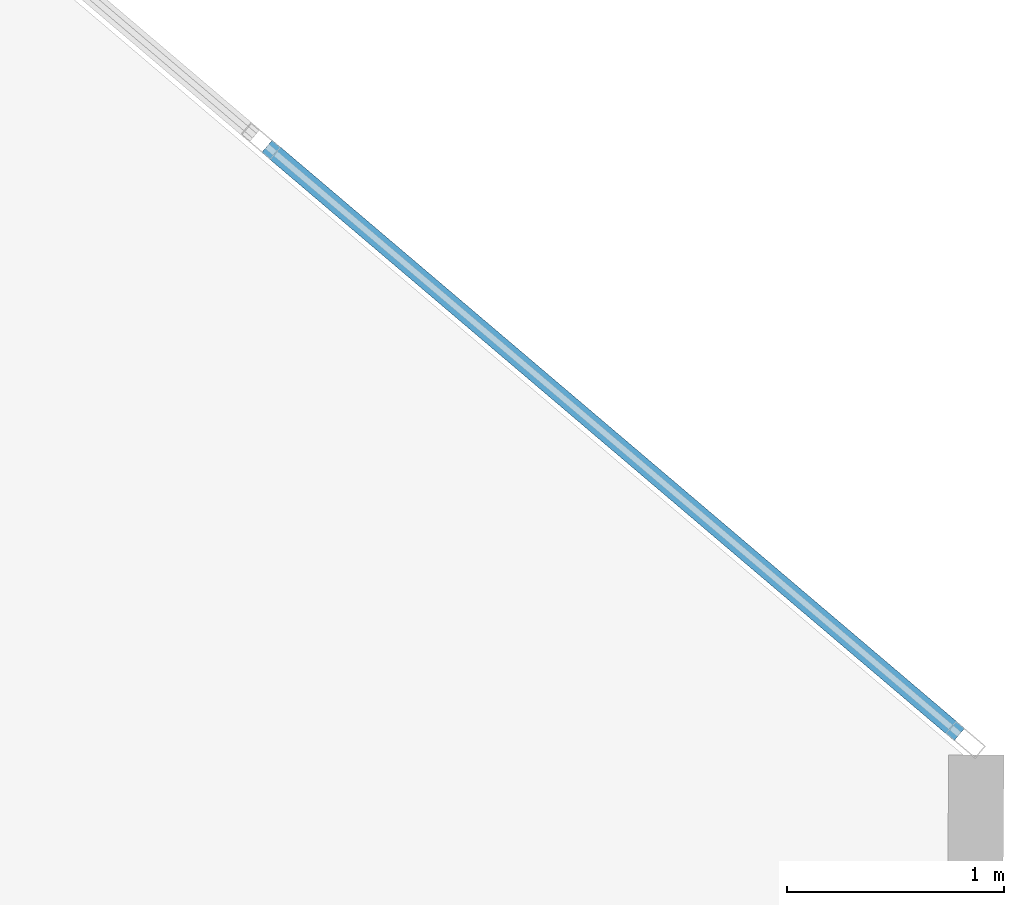
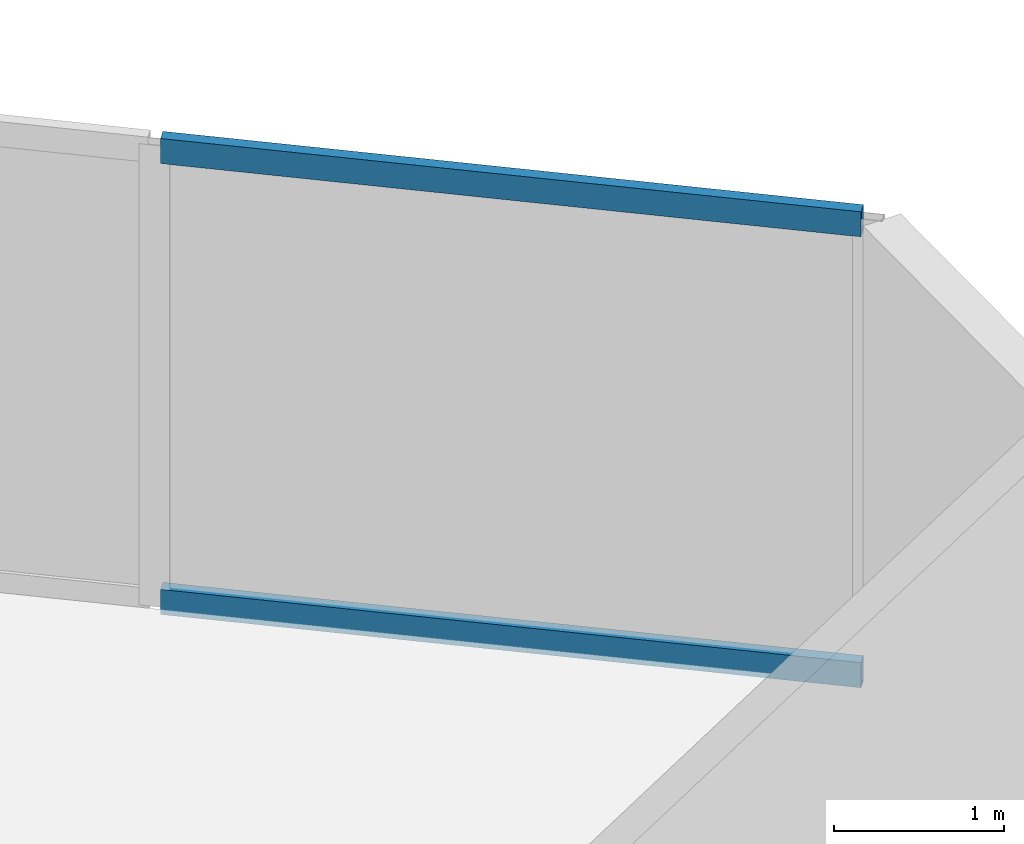
# One storey, part 15 of 24: 2 members, 1 element without a shape of its own.
"""IFC4 building model written with IfcOpenShell, lengths in metres."""

from ifc_helpers import new_model, si_unit, direction, frame, origin, origin_2d, place, context, subcontext, project, spatial, hollow_rectangle, extrude, source, transform, mapped, material, layer, layer_set, material_profile, profile_set, type_object, type_shapes, element, aggregate, save


model = new_model("IFC4")

# Units and contexts
model_context = context("Model", 3, precision=1e-05, world=origin(), true_north=direction((0.0, 1.0)))
body_context = subcontext(model_context, "Body", "Model", "MODEL_VIEW")
ifc_project = project(units=[si_unit("LENGTHUNIT", "METRE"), si_unit("AREAUNIT", "SQUARE_METRE"), si_unit("VOLUMEUNIT", "CUBIC_METRE"), si_unit("PLANEANGLEUNIT", "RADIAN"), si_unit("MASSUNIT", "GRAM", prefix="KILO")], contexts=[model_context])

# Site, building, storey
site_placement = place(None, origin())
site = spatial("IfcSite", under=ifc_project, at=site_placement, CompositionType="ELEMENT")
building_placement = place(site_placement, origin())
building = spatial("IfcBuilding", under=site, at=building_placement, Name="Talar Marvaseh", CompositionType="ELEMENT")
storey_placement = place(building_placement, frame((0.0, 0.0, 114.60009765625)))
storey = spatial("IfcBuildingStorey", under=building, at=storey_placement, Name="L29", CompositionType="ELEMENT", Elevation=114.60009765625)

# Curtain wall, members
ifc_material = material(Name="Architectural Aluminium", Category="aluminium")
ifc_layer = layer(ifc_material, 0.199951171875)
ifc_layer_set = layer_set([ifc_layer], Name="Architectural Aluminium")
curtain_wall_type = type_object("IfcCurtainWallType", Name="Unitised Acoustic Library Curtain Wall Z2", PredefinedType="NOTDEFINED", material=ifc_layer_set)
curtain_wall_placement = place(storey_placement, origin())
curtain_wall = element("IfcCurtainWall", 1, at=curtain_wall_placement, inside=storey, type_object=curtain_wall_type, Name="L29 Unitised Acoustic Library Curtain Wall Z2", PredefinedType="NOTDEFINED")
ifc_material_profile = material_profile(ifc_material, hollow_rectangle(XDim=0.074951171875, YDim=0.179931640625, WallThickness=0.0048828125, at=origin_2d()), Name="RHS180x75x5")
ifc_profile_set = profile_set([ifc_material_profile], Name="Architectural Aluminium")
member_type = type_object("IfcMemberType", Name="Unitised Curtain Wall Transom RHS180x75x5", PredefinedType="USERDEFINED", material=ifc_profile_set)
shared_shape = source(origin(), body_context, "Body", "SweptSolid", [
    extrude(hollow_rectangle(XDim=0.074951171875, YDim=0.179931640625, WallThickness=0.0048828125, at=origin_2d()), origin(), (0.0, 0.0, 1.0), 4.185302734375),
])
type_shapes(member_type, [shared_shape])
member_1_placement = place(storey_placement, frame((45.421630859375, 36.597900390625, 0.037353515625), z_axis=(0.76211919749, -0.647436737309, 0.0), x_axis=(0.647436737309, 0.76211919749, 0.0)))
member_1 = element("IfcMember", 2, at=member_1_placement, type_object=member_type, Name="CW-Z2 transom 4.1", ObjectType="TRANSOM", PredefinedType="USERDEFINED", context=body_context, shape_type="MappedRepresentation", body=[
    mapped(shared_shape, transform((0.0, 0.0, 0.0), x_axis=(1.0, 0.0, 0.0), y_axis=(0.0, 1.0, 0.0), z_axis=(0.0, 0.0, 1.0), scale=1.0)),
])
member_2_placement = place(storey_placement, frame((45.421630859375, 36.597900390625, 3.2724609375), z_axis=(0.76211919749, -0.647436737309, 0.0), x_axis=(0.647436737309, 0.76211919749, 0.0)))
member_2 = element("IfcMember", 3, at=member_2_placement, type_object=member_type, Name="CW-Z2 transom 4.2", ObjectType="TRANSOM", PredefinedType="USERDEFINED", context=body_context, shape_type="MappedRepresentation", body=[
    mapped(shared_shape, transform((0.0, 0.0, 0.0), x_axis=(1.0, 0.0, 0.0), y_axis=(0.0, 1.0, 0.0), z_axis=(0.0, 0.0, 1.0), scale=1.0)),
])
aggregate(curtain_wall, [member_1, member_2])

save(model, "model.ifc")
